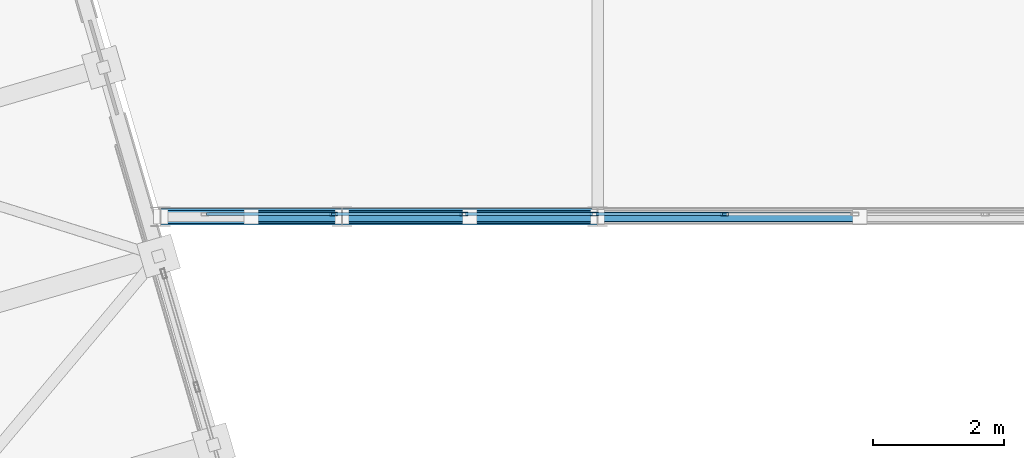
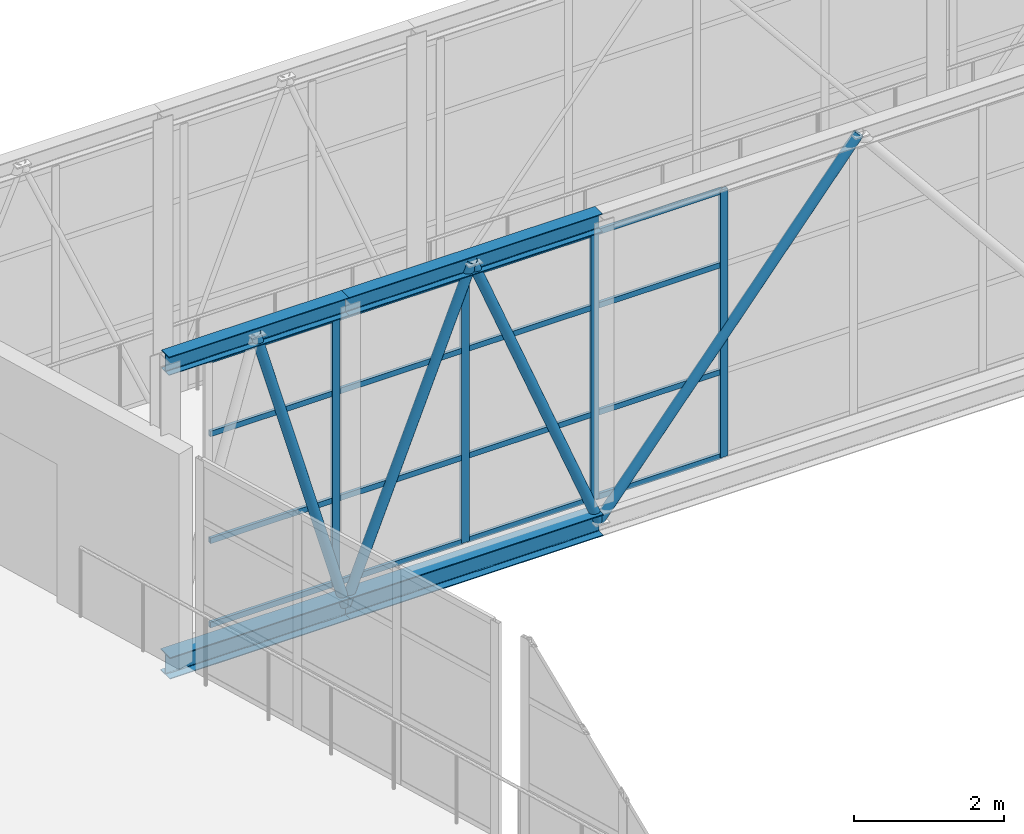
# One storey, part 126 of 248: 28 members, 1 element without a shape of its own.
"""IFC4 building model written with IfcOpenShell, lengths in metres."""

from ifc_helpers import new_model, si_unit, direction, frame, origin, origin_2d, place, context, subcontext, project, spatial, hollow_rectangle, hollow_circle, i_section, extrude, material, layer, layer_set, material_profile, profile_set, type_object, element, aggregate, save


model = new_model("IFC4")

# Units and contexts
model_context = context("Model", 3, precision=1e-05, world=origin(), true_north=direction((0.0, 1.0)))
body_context = subcontext(model_context, "Body", "Model", "MODEL_VIEW")
ifc_project = project(units=[si_unit("LENGTHUNIT", "METRE"), si_unit("AREAUNIT", "SQUARE_METRE"), si_unit("VOLUMEUNIT", "CUBIC_METRE"), si_unit("PLANEANGLEUNIT", "RADIAN"), si_unit("MASSUNIT", "GRAM", prefix="KILO")], contexts=[model_context])

# Site, building, storey
site_placement = place(None, origin())
site = spatial("IfcSite", under=ifc_project, at=site_placement, CompositionType="ELEMENT")
building_placement = place(site_placement, origin())
building = spatial("IfcBuilding", under=site, at=building_placement, Name="Canggui Botanical Conservatory", CompositionType="ELEMENT")
storey_placement = place(building_placement, frame((0.0, 0.0, 5.39990234375)))
storey = spatial("IfcBuildingStorey", under=building, at=storey_placement, Name="L02", CompositionType="ELEMENT", Elevation=5.39990234375)

# Curtain wall, members
ifc_material_1 = material(Name="Thermally Broken Aluminium", Category="aluminium")
ifc_layer = layer(ifc_material_1, 0.1201171875, Name="Thermally Broken Aluminium", Category="aluminium")
ifc_layer_set = layer_set([ifc_layer], Name="Thermally Broken Aluminium")
curtain_wall_type = type_object("IfcCurtainWallType", Name="CW-STICK-B", PredefinedType="USERDEFINED", material=ifc_layer_set)
curtain_wall_placement = place(storey_placement, origin())
curtain_wall = element("IfcCurtainWall", 1, at=curtain_wall_placement, inside=storey, type_object=curtain_wall_type, Name="Facade Curtain Wall CW-SB-04-1", ObjectType="STICK GLAZED WALL", PredefinedType="USERDEFINED")
ifc_material_profile_1 = material_profile(ifc_material_1, hollow_rectangle(XDim=0.054931640625, YDim=0.1201171875, WallThickness=0.0029296875, at=origin_2d()), Name="CWM 55x120x3")
ifc_profile_set_1 = profile_set([ifc_material_profile_1], Name="Thermally Broken Aluminium")
member_type_1 = type_object("IfcMemberType", Name="CWM-05", PredefinedType="MULLION", material=ifc_profile_set_1)
member_1_placement = place(storey_placement, frame((69.46923828125, 75.0400390625, 0.0), z_axis=(0.0, 0.0, 1.0), x_axis=(0.0, 1.0, 0.0)))
member_1 = element("IfcMember", 2, at=member_1_placement, type_object=member_type_1, Name="CW-05 mullion 2", PredefinedType="MULLION", context=body_context, shape_type="SweptSolid", body=[
    extrude(hollow_rectangle(XDim=0.054931640625, YDim=0.1201171875, WallThickness=0.0029296875, at=origin_2d()), origin(), (0.0, 0.0, 1.0), 4.35009765625),
])
member_2_placement = place(storey_placement, frame((71.458740234375, 75.0400390625, 0.0), z_axis=(0.0, 0.0, 1.0), x_axis=(0.0, 1.0, 0.0)))
member_2 = element("IfcMember", 3, at=member_2_placement, type_object=member_type_1, Name="CW-05 mullion 3", PredefinedType="MULLION", context=body_context, shape_type="SweptSolid", body=[
    extrude(hollow_rectangle(XDim=0.054931640625, YDim=0.1201171875, WallThickness=0.0029296875, at=origin_2d()), origin(), (0.0, 0.0, 1.0), 4.35009765625),
])
member_3_placement = place(storey_placement, frame((73.447998046875, 75.0400390625, 0.0), z_axis=(0.0, 0.0, 1.0), x_axis=(0.0, 1.0, 0.0)))
member_3 = element("IfcMember", 4, at=member_3_placement, type_object=member_type_1, Name="CW-05 mullion 4", PredefinedType="MULLION", context=body_context, shape_type="SweptSolid", body=[
    extrude(hollow_rectangle(XDim=0.054931640625, YDim=0.1201171875, WallThickness=0.0029296875, at=origin_2d()), origin(), (0.0, 0.0, 1.0), 4.35009765625),
])
member_4_placement = place(storey_placement, frame((75.4375, 75.0400390625, 0.0), z_axis=(0.0, 0.0, 1.0), x_axis=(0.0, 1.0, 0.0)))
member_4 = element("IfcMember", 5, at=member_4_placement, type_object=member_type_1, Name="CW-05 mullion 5", PredefinedType="MULLION", context=body_context, shape_type="SweptSolid", body=[
    extrude(hollow_rectangle(XDim=0.054931640625, YDim=0.1201171875, WallThickness=0.0029296875, at=origin_2d()), origin(), (0.0, 0.0, 1.0), 4.35009765625),
])
ifc_material_profile_2 = material_profile(ifc_material_1, hollow_rectangle(XDim=0.044921875, YDim=0.090087890625, WallThickness=0.0029296875, at=origin_2d()), Name="CWT 45x90x3")
ifc_profile_set_2 = profile_set([ifc_material_profile_2], Name="Thermally Broken Aluminium")
member_type_2 = type_object("IfcMemberType", Name="CWT-05", PredefinedType="USERDEFINED", material=ifc_profile_set_2)
member_5_placement = place(storey_placement, frame((67.534912109375, 75.0400390625, 0.022705078125), z_axis=(1.0, 0.0, 0.0), x_axis=(0.0, 1.0, 0.0)))
member_5 = element("IfcMember", 6, at=member_5_placement, type_object=member_type_2, Name="CW-05 transom 1.1", ObjectType="TRANSOM", PredefinedType="USERDEFINED", context=body_context, shape_type="SweptSolid", body=[
    extrude(hollow_rectangle(XDim=0.044921875, YDim=0.090087890625, WallThickness=0.0029296875, at=origin_2d()), origin(), (0.0, 0.0, 1.0), 1.906982421875),
])
member_6_placement = place(storey_placement, frame((67.534912109375, 75.0400390625, 1.39208984375), z_axis=(1.0, 0.0, 0.0), x_axis=(0.0, 1.0, 0.0)))
member_6 = element("IfcMember", 7, at=member_6_placement, type_object=member_type_2, Name="CW-05 transom 1.2", ObjectType="TRANSOM", PredefinedType="USERDEFINED", context=body_context, shape_type="SweptSolid", body=[
    extrude(hollow_rectangle(XDim=0.044921875, YDim=0.090087890625, WallThickness=0.0029296875, at=origin_2d()), origin(), (0.0, 0.0, 1.0), 1.906982421875),
])
member_7_placement = place(storey_placement, frame((67.534912109375, 75.0400390625, 3.132080078125), z_axis=(1.0, 0.0, 0.0), x_axis=(0.0, 1.0, 0.0)))
member_7 = element("IfcMember", 8, at=member_7_placement, type_object=member_type_2, Name="CW-05 transom 1.3", ObjectType="TRANSOM", PredefinedType="USERDEFINED", context=body_context, shape_type="SweptSolid", body=[
    extrude(hollow_rectangle(XDim=0.044921875, YDim=0.090087890625, WallThickness=0.0029296875, at=origin_2d()), origin(), (0.0, 0.0, 1.0), 1.906982421875),
])
member_8_placement = place(storey_placement, frame((67.534912109375, 75.0400390625, 4.32763671875), z_axis=(1.0, 0.0, 0.0), x_axis=(0.0, 1.0, 0.0)))
member_8 = element("IfcMember", 9, at=member_8_placement, type_object=member_type_2, Name="CW-05 transom 1.4", ObjectType="TRANSOM", PredefinedType="USERDEFINED", context=body_context, shape_type="SweptSolid", body=[
    extrude(hollow_rectangle(XDim=0.044921875, YDim=0.090087890625, WallThickness=0.0029296875, at=origin_2d()), origin(), (0.0, 0.0, 1.0), 1.906982421875),
])
member_9_placement = place(storey_placement, frame((69.496826171875, 75.0400390625, 0.022705078125), z_axis=(1.0, 0.0, 0.0), x_axis=(0.0, 1.0, 0.0)))
member_9 = element("IfcMember", 10, at=member_9_placement, type_object=member_type_2, Name="CW-05 transom 2.1", ObjectType="TRANSOM", PredefinedType="USERDEFINED", context=body_context, shape_type="SweptSolid", body=[
    extrude(hollow_rectangle(XDim=0.044921875, YDim=0.090087890625, WallThickness=0.0029296875, at=origin_2d()), origin(), (0.0, 0.0, 1.0), 1.934326171875),
])
member_10_placement = place(storey_placement, frame((69.496826171875, 75.0400390625, 1.39208984375), z_axis=(1.0, 0.0, 0.0), x_axis=(0.0, 1.0, 0.0)))
member_10 = element("IfcMember", 11, at=member_10_placement, type_object=member_type_2, Name="CW-05 transom 2.2", ObjectType="TRANSOM", PredefinedType="USERDEFINED", context=body_context, shape_type="SweptSolid", body=[
    extrude(hollow_rectangle(XDim=0.044921875, YDim=0.090087890625, WallThickness=0.0029296875, at=origin_2d()), origin(), (0.0, 0.0, 1.0), 1.934326171875),
])
member_11_placement = place(storey_placement, frame((69.496826171875, 75.0400390625, 3.132080078125), z_axis=(1.0, 0.0, 0.0), x_axis=(0.0, 1.0, 0.0)))
member_11 = element("IfcMember", 12, at=member_11_placement, type_object=member_type_2, Name="CW-05 transom 2.3", ObjectType="TRANSOM", PredefinedType="USERDEFINED", context=body_context, shape_type="SweptSolid", body=[
    extrude(hollow_rectangle(XDim=0.044921875, YDim=0.090087890625, WallThickness=0.0029296875, at=origin_2d()), origin(), (0.0, 0.0, 1.0), 1.934326171875),
])
member_12_placement = place(storey_placement, frame((69.496826171875, 75.0400390625, 4.32763671875), z_axis=(1.0, 0.0, 0.0), x_axis=(0.0, 1.0, 0.0)))
member_12 = element("IfcMember", 13, at=member_12_placement, type_object=member_type_2, Name="CW-05 transom 2.4", ObjectType="TRANSOM", PredefinedType="USERDEFINED", context=body_context, shape_type="SweptSolid", body=[
    extrude(hollow_rectangle(XDim=0.044921875, YDim=0.090087890625, WallThickness=0.0029296875, at=origin_2d()), origin(), (0.0, 0.0, 1.0), 1.934326171875),
])
member_13_placement = place(storey_placement, frame((71.486328125, 75.0400390625, 0.022705078125), z_axis=(1.0, 0.0, 0.0), x_axis=(0.0, 1.0, 0.0)))
member_13 = element("IfcMember", 14, at=member_13_placement, type_object=member_type_2, Name="CW-05 transom 3.1", ObjectType="TRANSOM", PredefinedType="USERDEFINED", context=body_context, shape_type="SweptSolid", body=[
    extrude(hollow_rectangle(XDim=0.044921875, YDim=0.090087890625, WallThickness=0.0029296875, at=origin_2d()), origin(), (0.0, 0.0, 1.0), 1.934326171875),
])
member_14_placement = place(storey_placement, frame((71.486328125, 75.0400390625, 1.39208984375), z_axis=(1.0, 0.0, 0.0), x_axis=(0.0, 1.0, 0.0)))
member_14 = element("IfcMember", 15, at=member_14_placement, type_object=member_type_2, Name="CW-05 transom 3.2", ObjectType="TRANSOM", PredefinedType="USERDEFINED", context=body_context, shape_type="SweptSolid", body=[
    extrude(hollow_rectangle(XDim=0.044921875, YDim=0.090087890625, WallThickness=0.0029296875, at=origin_2d()), origin(), (0.0, 0.0, 1.0), 1.934326171875),
])
member_15_placement = place(storey_placement, frame((71.486328125, 75.0400390625, 3.132080078125), z_axis=(1.0, 0.0, 0.0), x_axis=(0.0, 1.0, 0.0)))
member_15 = element("IfcMember", 16, at=member_15_placement, type_object=member_type_2, Name="CW-05 transom 3.3", ObjectType="TRANSOM", PredefinedType="USERDEFINED", context=body_context, shape_type="SweptSolid", body=[
    extrude(hollow_rectangle(XDim=0.044921875, YDim=0.090087890625, WallThickness=0.0029296875, at=origin_2d()), origin(), (0.0, 0.0, 1.0), 1.934326171875),
])
member_16_placement = place(storey_placement, frame((71.486328125, 75.0400390625, 4.32763671875), z_axis=(1.0, 0.0, 0.0), x_axis=(0.0, 1.0, 0.0)))
member_16 = element("IfcMember", 17, at=member_16_placement, type_object=member_type_2, Name="CW-05 transom 3.4", ObjectType="TRANSOM", PredefinedType="USERDEFINED", context=body_context, shape_type="SweptSolid", body=[
    extrude(hollow_rectangle(XDim=0.044921875, YDim=0.090087890625, WallThickness=0.0029296875, at=origin_2d()), origin(), (0.0, 0.0, 1.0), 1.934326171875),
])
member_17_placement = place(storey_placement, frame((73.4755859375, 75.0400390625, 0.022705078125), z_axis=(1.0, 0.0, 0.0), x_axis=(0.0, 1.0, 0.0)))
member_17 = element("IfcMember", 18, at=member_17_placement, type_object=member_type_2, Name="CW-05 transom 4.1", ObjectType="TRANSOM", PredefinedType="USERDEFINED", context=body_context, shape_type="SweptSolid", body=[
    extrude(hollow_rectangle(XDim=0.044921875, YDim=0.090087890625, WallThickness=0.0029296875, at=origin_2d()), origin(), (0.0, 0.0, 1.0), 1.934326171875),
])
member_18_placement = place(storey_placement, frame((73.4755859375, 75.0400390625, 1.39208984375), z_axis=(1.0, 0.0, 0.0), x_axis=(0.0, 1.0, 0.0)))
member_18 = element("IfcMember", 19, at=member_18_placement, type_object=member_type_2, Name="CW-05 transom 4.2", ObjectType="TRANSOM", PredefinedType="USERDEFINED", context=body_context, shape_type="SweptSolid", body=[
    extrude(hollow_rectangle(XDim=0.044921875, YDim=0.090087890625, WallThickness=0.0029296875, at=origin_2d()), origin(), (0.0, 0.0, 1.0), 1.934326171875),
])
member_19_placement = place(storey_placement, frame((73.4755859375, 75.0400390625, 3.132080078125), z_axis=(1.0, 0.0, 0.0), x_axis=(0.0, 1.0, 0.0)))
member_19 = element("IfcMember", 20, at=member_19_placement, type_object=member_type_2, Name="CW-05 transom 4.3", ObjectType="TRANSOM", PredefinedType="USERDEFINED", context=body_context, shape_type="SweptSolid", body=[
    extrude(hollow_rectangle(XDim=0.044921875, YDim=0.090087890625, WallThickness=0.0029296875, at=origin_2d()), origin(), (0.0, 0.0, 1.0), 1.934326171875),
])
member_20_placement = place(storey_placement, frame((73.4755859375, 75.0400390625, 4.32763671875), z_axis=(1.0, 0.0, 0.0), x_axis=(0.0, 1.0, 0.0)))
member_20 = element("IfcMember", 21, at=member_20_placement, type_object=member_type_2, Name="CW-05 transom 4.4", ObjectType="TRANSOM", PredefinedType="USERDEFINED", context=body_context, shape_type="SweptSolid", body=[
    extrude(hollow_rectangle(XDim=0.044921875, YDim=0.090087890625, WallThickness=0.0029296875, at=origin_2d()), origin(), (0.0, 0.0, 1.0), 1.934326171875),
])
aggregate(curtain_wall, [member_1, member_2, member_3, member_4, member_5, member_6, member_7, member_8, member_9, member_10, member_11, member_12, member_13, member_14, member_15, member_16, member_17, member_18, member_19, member_20])

# Members
ifc_material_2 = material(Name="Steel Q355C", Category="steel")
ifc_material_profile_3 = material_profile(ifc_material_2, hollow_circle(Radius=0.075927734375, WallThickness=0.006103515625, at=origin_2d()), Name="CHS 152x6")
ifc_profile_set_3 = profile_set([ifc_material_profile_3], Name="Steel Q355C")
member_type_3 = type_object("IfcMemberType", Name="MEM-GSD04", PredefinedType="RAFTER", material=ifc_profile_set_3)
member_21_placement = place(storey_placement, frame((68.215087890625, 75.0, 4.550048828125), z_axis=(0.272003336192, 0.0, -0.962296308369), x_axis=(0.0, 1.0, 0.0)))
element("IfcMember", 22, at=member_21_placement, inside=storey, type_object=member_type_3, Name="SB-04 Truss Web Rafter 1.1B", PredefinedType="RAFTER", context=body_context, shape_type="SweptSolid", body=[
    extrude(hollow_circle(Radius=0.075927734375, WallThickness=0.006103515625, at=origin_2d()), origin(), (0.0, 0.0, 1.0), 5.091796875),
])
for number, where, z_axis, x_axis, name in (
    (23, (69.60009765625, 75.0, -0.349853515625), (0.369753830019, 0.0, 0.929129756916), (0.0, 1.0, 0.0), "SB-04 Truss Web Rafter 1.2A"),
    (24, (71.550048828125, 75.0, 4.550048828125), (0.369753830019, 0.0, -0.929129756916), (0.0, 1.0, 0.0), "SB-04 Truss Web Rafter 1.2B"),
):
    element("IfcMember", number, at=place(storey_placement, frame(where, z_axis=z_axis, x_axis=x_axis)), inside=storey, type_object=member_type_3, Name=name, PredefinedType="RAFTER", context=body_context, shape_type="SweptSolid", body=[
        extrude(hollow_circle(Radius=0.075927734375, WallThickness=0.006103515625, at=origin_2d()), origin(), (0.0, 0.0, 1.0), 5.273681640625),
    ])
member_22_placement = place(storey_placement, frame((73.5, 75.0, -0.349853515625), z_axis=(0.632384053133, 0.0, 0.774655026024), x_axis=(0.0, 1.0, 0.0)))
element("IfcMember", 25, at=member_22_placement, inside=storey, type_object=member_type_3, Name="SB-04 Truss Web Rafter 1.3A", PredefinedType="RAFTER", context=body_context, shape_type="SweptSolid", body=[
    extrude(hollow_circle(Radius=0.075927734375, WallThickness=0.006103515625, at=origin_2d()), origin(), (0.0, 0.0, 1.0), 6.3251953125),
])
ifc_material_3 = material(Name="Steel Q355B", Category="steel")
ifc_material_profile_4 = material_profile(ifc_material_3, i_section(OverallWidth=0.25, OverallDepth=0.35009765625, WebThickness=0.009033203125, FlangeThickness=0.013916015625, FilletRadius=0.02001953125, at=origin_2d()), Name="HM 350x250x9x14")
ifc_profile_set_4 = profile_set([ifc_material_profile_4], Name="Steel Q355B")
member_type_4 = type_object("IfcMemberType", Name="MEM-TC03", PredefinedType="CHORD", material=ifc_profile_set_4)
member_23_placement = place(storey_placement, frame((66.830078125, 75.0, -0.349853515625), z_axis=(1.0, 0.0, 0.0), x_axis=(0.0, 1.0, 0.0)))
element("IfcMember", 26, at=member_23_placement, inside=storey, type_object=member_type_4, Name="SB-04 Deck Truss Bottom Chord 1.1", PredefinedType="CHORD", context=body_context, shape_type="SweptSolid", body=[
    extrude(i_section(OverallWidth=0.25, OverallDepth=0.35009765625, WebThickness=0.009033203125, FlangeThickness=0.013916015625, FilletRadius=0.02001953125, at=origin_2d()), origin(), (0.0, 0.0, 1.0), 2.77001953125),
])
member_24_placement = place(storey_placement, frame((69.60009765625, 75.0, -0.349853515625), z_axis=(1.0, 0.0, 0.0), x_axis=(0.0, 1.0, 0.0)))
element("IfcMember", 27, at=member_24_placement, inside=storey, type_object=member_type_4, Name="SB-04 Deck Truss Bottom Chord 1.2", PredefinedType="CHORD", context=body_context, shape_type="SweptSolid", body=[
    extrude(i_section(OverallWidth=0.25, OverallDepth=0.35009765625, WebThickness=0.009033203125, FlangeThickness=0.013916015625, FilletRadius=0.02001953125, at=origin_2d()), origin(), (0.0, 0.0, 1.0), 3.89990234375),
])
ifc_material_profile_5 = material_profile(ifc_material_3, i_section(OverallWidth=0.199951171875, OverallDepth=0.300048828125, WebThickness=0.008056640625, FlangeThickness=0.011962890625, FilletRadius=0.01806640625, at=origin_2d()), Name="HM 300x200x8x12")
ifc_profile_set_5 = profile_set([ifc_material_profile_5], Name="Steel Q355B")
member_type_5 = type_object("IfcMemberType", Name="MEM-TC04", PredefinedType="CHORD", material=ifc_profile_set_5)
member_25_placement = place(storey_placement, frame((66.830078125, 75.0, 4.550048828125), z_axis=(1.0, 0.0, 0.0), x_axis=(0.0, 1.0, 0.0)))
element("IfcMember", 28, at=member_25_placement, inside=storey, type_object=member_type_5, Name="SB-04 Roof Truss Top Chord 1.1", PredefinedType="CHORD", context=body_context, shape_type="SweptSolid", body=[
    extrude(i_section(OverallWidth=0.199951171875, OverallDepth=0.300048828125, WebThickness=0.008056640625, FlangeThickness=0.011962890625, FilletRadius=0.01806640625, at=origin_2d()), origin(), (0.0, 0.0, 1.0), 2.77001953125),
])
member_26_placement = place(storey_placement, frame((69.60009765625, 75.0, 4.550048828125), z_axis=(1.0, 0.0, 0.0), x_axis=(0.0, 1.0, 0.0)))
element("IfcMember", 29, at=member_26_placement, inside=storey, type_object=member_type_5, Name="SB-04 Roof Truss Top Chord 1.2", PredefinedType="CHORD", context=body_context, shape_type="SweptSolid", body=[
    extrude(i_section(OverallWidth=0.199951171875, OverallDepth=0.300048828125, WebThickness=0.008056640625, FlangeThickness=0.011962890625, FilletRadius=0.01806640625, at=origin_2d()), origin(), (0.0, 0.0, 1.0), 3.89990234375),
])

save(model, "model.ifc")
